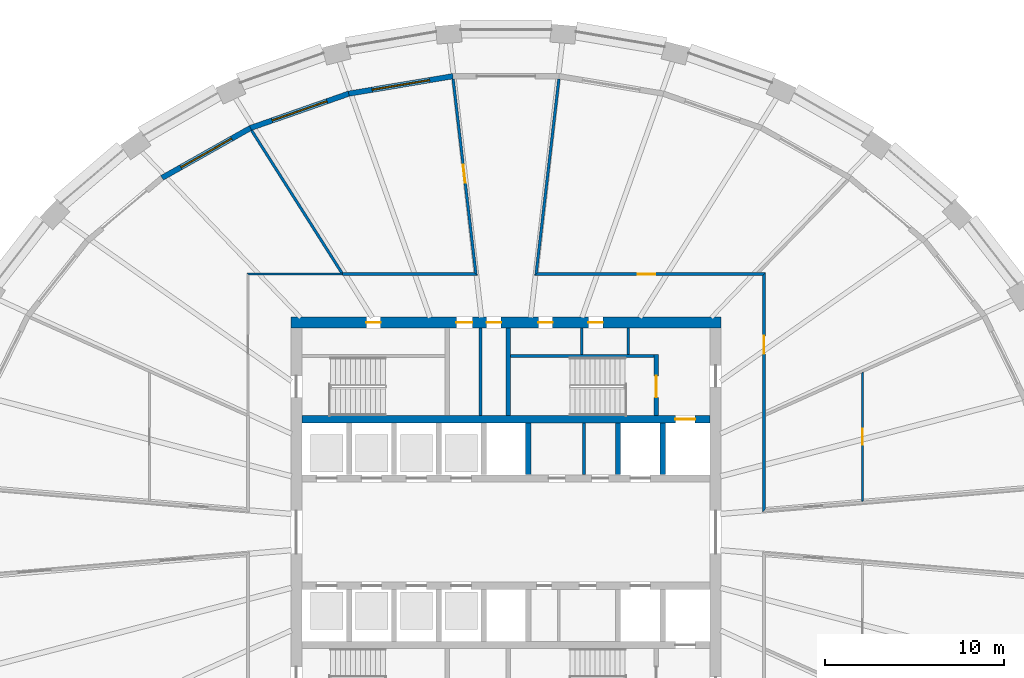
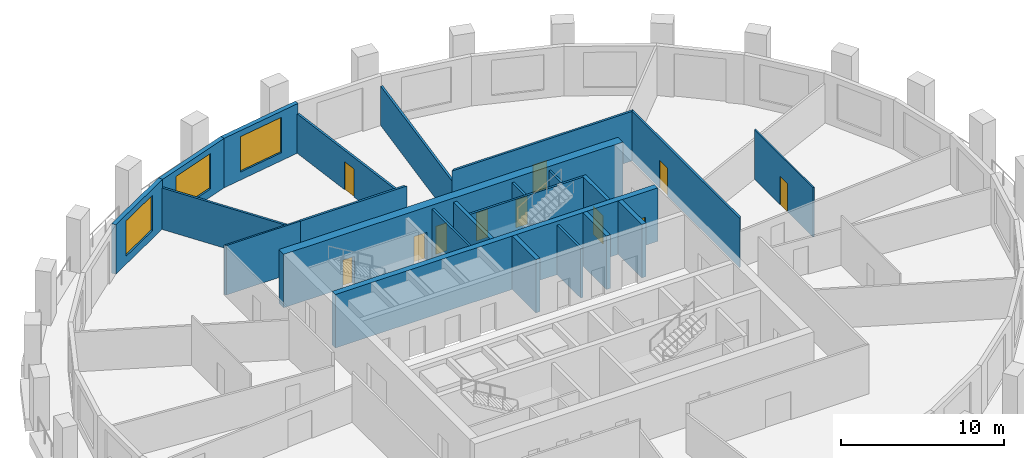
# One storey, part 6 of 10: 23 walls, 11 doors, 3 windows, 14 openings.
"""IFC4 building model written with IfcOpenShell, lengths in metres."""

from ifc_helpers import new_model, si_unit, direction, frame, frame_2d, origin, place, context, subcontext, project, spatial, polyline, rectangle, outline, extrude, material, layer, layer_set, type_object, element, fill, save


model = new_model("IFC4")

# Units and contexts
model_context = context("Model", 3, precision=1e-05, world=origin(), true_north=direction((0.0, 1.0)))
body_context = subcontext(model_context, "Body", "Model", "MODEL_VIEW")
ifc_project = project(units=[si_unit("LENGTHUNIT", "METRE"), si_unit("AREAUNIT", "SQUARE_METRE"), si_unit("VOLUMEUNIT", "CUBIC_METRE"), si_unit("PLANEANGLEUNIT", "RADIAN"), si_unit("MASSUNIT", "GRAM", prefix="KILO")], contexts=[model_context])

# Site, building, storey
site_placement = place(None, origin())
site = spatial("IfcSite", under=ifc_project, at=site_placement, CompositionType="ELEMENT")
building_placement = place(site_placement, origin())
building = spatial("IfcBuilding", under=site, at=building_placement, Name="Halqa Exchange Tower", CompositionType="ELEMENT")
storey_placement = place(building_placement, frame((0.0, 0.0, 186.89990234375)))
storey = spatial("IfcBuildingStorey", under=building, at=storey_placement, Name="L42", CompositionType="ELEMENT", Elevation=186.89990234375)

# Walls
ifc_material_1 = material(Name="Fire-rated gypsum board")
ifc_layer_1 = layer(ifc_material_1, 0.14990234375)
ifc_layer_set_1 = layer_set([ifc_layer_1], Name="Fire-rated gypsum board")
wall_type_1 = type_object("IfcWallType", Name="Fire partition EI 60 150", PredefinedType="PARTITIONING", material=ifc_layer_set_1)
wall_1_placement = place(storey_placement, frame((-9.14208984375, 14.43505859375, 0.0), z_axis=(0.0, 0.0, 1.0), x_axis=(-0.535245013247, 0.844696854377, 0.0)))
element("IfcWall", 1, at=wall_1_placement, inside=storey, type_object=wall_type_1, Name="L42-PWL-009", PredefinedType="PARTITIONING", context=body_context, shape_type="SweptSolid", body=[
    extrude(outline(polyline([(0.0, -0.074951171875), (1.88623046875, -0.074951171875), (3.772705078125, -0.074951171875), (5.658935546875, -0.074951171875), (7.545166015625, -0.074951171875), (9.431640625, -0.074951171875), (9.44873046875, -0.000732421875), (9.452392578125, 0.068603515625), (9.452392578125, 0.074951171875), (7.577392578125, 0.074951171875), (5.7021484375, 0.074951171875), (3.8271484375, 0.074951171875), (1.9521484375, 0.074951171875), (0.076904296875, 0.074951171875), (0.00927734375, -0.031982421875), (0.02197265625, -0.0400390625), (0.0, -0.07470703125), (0.0, -0.074951171875)])), origin(), (0.0, 0.0, 1.0), 3.10009765625),
])
wall_2_placement = place(storey_placement, frame((-9.1201171875, 14.39990234375, 0.0), z_axis=(0.0, 0.0, 1.0), x_axis=(1.0, 0.0, 0.0)))
element("IfcWall", 2, at=wall_2_placement, inside=storey, type_object=wall_type_1, Name="L42-PWL-010", PredefinedType="PARTITIONING", context=body_context, shape_type="SweptSolid", body=[
    extrude(outline(polyline([(7.5244140625, -0.074951171875), (7.5244140625, -0.074951171875), (7.35595703125, 0.074951171875), (5.51708984375, 0.074951171875), (3.677978515625, 0.074951171875), (1.839111328125, 0.074951171875), (0.0, 0.074951171875), (0.0, -0.074951171875), (1.881103515625, -0.074951171875), (3.76220703125, -0.074951171875), (5.643310546875, -0.074951171875), (7.5244140625, -0.074951171875)])), origin(), (0.0, 0.0, 1.0), 3.7001953125),
])

# Wall, opening, door
wall_3_placement = place(storey_placement, frame((-1.670166015625, 14.31640625, 0.0), z_axis=(0.0, 0.0, 1.0), x_axis=(-0.116172056535, 0.993229104125, 0.0)))
wall_3 = element("IfcWall", 3, at=wall_3_placement, inside=storey, type_object=wall_type_1, Name="L42-PWL-013", PredefinedType="PARTITIONING", context=body_context, shape_type="SweptSolid", body=[
    extrude(outline(polyline([(0.0, -0.074951171875), (1.8408203125, -0.074951171875), (3.681884765625, -0.074951171875), (5.522705078125, -0.074951171875), (7.363525390625, -0.074951171875), (9.20458984375, -0.074951171875), (11.04541015625, -0.074951171875), (11.0498046875, -0.037109375), (11.0498046875, 0.074951171875), (9.236328125, 0.074951171875), (7.422607421875, 0.074951171875), (5.609130859375, 0.074951171875), (3.79541015625, 0.074951171875), (1.98193359375, 0.074951171875), (0.16845703125, 0.074951171875), (0.084228515625, 0.0), (0.0, -0.074951171875), (0.0, -0.074951171875)])), origin(), (0.0, 0.0, 1.0), 2.947021484375),
])
opening_1_placement = place(wall_3_placement, frame((5.222412109375, 0.0, 0.0)))
opening_1 = element("IfcOpeningElement", 4, at=opening_1_placement, cuts=wall_3, Name="Opening 12-01", PredefinedType="OPENING", context=body_context, shape_type="SweptSolid", body=[
    extrude(rectangle(XDim=1.0, YDim=2.10009765625, at=frame_2d((0.5, 1.050048828125))), frame((0.0, 0.0869140625, 0.0), z_axis=(0.0, -1.0, 0.0), x_axis=(1.0, 0.0, 0.0)), (0.0, 0.0, 1.0), 0.173828125),
])
ifc_material_2 = material(Name="Steel fire door leaf", Category="steel")
door_type_1 = type_object("IfcDoorType", Name="Fire door FD30S 1000 x 2100", OperationType="SINGLE_SWING_LEFT", PredefinedType="DOOR", material=ifc_material_2)
door_1_placement = place(opening_1_placement, origin())
door_1 = element("IfcDoor", 5, at=door_1_placement, inside=storey, type_object=door_type_1, Name="L42-IDR-001", OperationType="SINGLE_SWING_LEFT", OverallHeight=2.10009765625, OverallWidth=1.0, PredefinedType="DOOR", context=body_context, shape_type="SweptSolid", body=[
    extrude(rectangle(XDim=1.0, YDim=2.10009765625, at=frame_2d((0.5, 1.050048828125))), frame((0.0, 0.02490234375, 0.0), z_axis=(0.0, -1.0, 0.0), x_axis=(1.0, 0.0, 0.0)), (0.0, 0.0, 1.0), 0.050048828125),
])
fill(opening_1, door_1)

wall_4_placement = place(storey_placement, frame((1.595703125, 14.39990234375, 0.0), z_axis=(0.0, 0.0, 1.0), x_axis=(1.0, 0.0, 0.0)))
wall_4 = element("IfcWall", 6, at=wall_4_placement, inside=storey, type_object=wall_type_1, Name="L42-PWL-015", PredefinedType="PARTITIONING", context=body_context, shape_type="SweptSolid", body=[
    extrude(outline(polyline([(0.0, -0.074951171875), (1.818359375, -0.074951171875), (3.636962890625, -0.074951171875), (5.455322265625, -0.074951171875), (7.27392578125, -0.074951171875), (9.09228515625, -0.074951171875), (10.910888671875, -0.074951171875), (12.729248046875, -0.074951171875), (12.879150390625, 0.074951171875), (11.063232421875, 0.074951171875), (9.24755859375, 0.074951171875), (7.431640625, 0.074951171875), (5.615966796875, 0.074951171875), (3.800048828125, 0.074951171875), (1.984130859375, 0.074951171875), (0.16845703125, 0.074951171875), (0.0, -0.074951171875), (0.0, -0.074951171875)])), origin(), (0.0, 0.0, 1.0), 3.7001953125),
])
opening_2_placement = place(wall_4_placement, frame((5.744384765625, 0.0, 0.0)))
opening_2 = element("IfcOpeningElement", 7, at=opening_2_placement, cuts=wall_4, Name="Opening 12-10", PredefinedType="OPENING", context=body_context, shape_type="SweptSolid", body=[
    extrude(rectangle(XDim=1.0, YDim=2.10009765625, at=frame_2d((0.5, 1.050048828125))), frame((0.0, 0.0869140625, 0.0), z_axis=(0.0, -1.0, 0.0), x_axis=(1.0, 0.0, 0.0)), (0.0, 0.0, 1.0), 0.173828125),
])
door_2_placement = place(opening_2_placement, origin())
door_2 = element("IfcDoor", 8, at=door_2_placement, inside=storey, type_object=door_type_1, Name="L42-IDR-010", OperationType="SINGLE_SWING_RIGHT", OverallHeight=2.10009765625, OverallWidth=1.0, PredefinedType="DOOR", context=body_context, shape_type="SweptSolid", body=[
    extrude(rectangle(XDim=1.0, YDim=2.10009765625, at=frame_2d((0.5, 1.050048828125))), frame((0.0, 0.02490234375, 0.0), z_axis=(0.0, -1.0, 0.0), x_axis=(1.0, 0.0, 0.0)), (0.0, 0.0, 1.0), 0.050048828125),
])
fill(opening_2, door_2)

# Wall
wall_5_placement = place(storey_placement, frame((2.953857421875, 25.29150390625, 0.0), z_axis=(0.0, 0.0, 1.0), x_axis=(-0.116172056535, -0.993229104125, 0.0)))
element("IfcWall", 9, at=wall_5_placement, inside=storey, type_object=wall_type_1, Name="L42-PWL-016", PredefinedType="PARTITIONING", context=body_context, shape_type="SweptSolid", body=[
    extrude(outline(polyline([(11.0498046875, -0.074951171875), (11.0498046875, -0.07470703125), (10.9658203125, 0.0), (10.881591796875, 0.074951171875), (9.06787109375, 0.074951171875), (7.25439453125, 0.074951171875), (5.440673828125, 0.074951171875), (3.627197265625, 0.074951171875), (1.8134765625, 0.074951171875), (0.0, 0.074951171875), (0.0, -0.0361328125), (0.004638671875, -0.074951171875), (1.845458984375, -0.074951171875), (3.686279296875, -0.074951171875), (5.527099609375, -0.074951171875), (7.3681640625, -0.074951171875), (9.208984375, -0.074951171875), (11.0498046875, -0.074951171875)])), origin(), (0.0, 0.0, 1.0), 2.947021484375),
])

# Wall, opening, door
wall_6_placement = place(storey_placement, frame((14.39990234375, 1.118408203125, 0.0), z_axis=(0.0, 0.0, 1.0), x_axis=(0.0, 1.0, 0.0)))
wall_6 = element("IfcWall", 10, at=wall_6_placement, inside=storey, type_object=wall_type_1, Name="L42-PWL-022", PredefinedType="PARTITIONING", context=body_context, shape_type="SweptSolid", body=[
    extrude(outline(polyline([(0.162841796875, -0.074951171875), (2.047607421875, -0.074951171875), (3.9326171875, -0.074951171875), (5.8173828125, -0.074951171875), (7.7021484375, -0.074951171875), (9.5869140625, -0.074951171875), (11.4716796875, -0.074951171875), (13.3564453125, -0.074951171875), (13.20654296875, 0.074951171875), (11.31982421875, 0.074951171875), (9.433349609375, 0.074951171875), (7.546630859375, 0.074951171875), (5.659912109375, 0.074951171875), (3.7734375, 0.074951171875), (1.88671875, 0.074951171875), (0.0, 0.074951171875), (0.162841796875, -0.074951171875)])), origin(), (0.0, 0.0, 1.0), 3.7001953125),
])
opening_3_placement = place(wall_6_placement, frame((8.83154296875, 0.0, 0.0)))
opening_3 = element("IfcOpeningElement", 11, at=opening_3_placement, cuts=wall_6, Name="Opening 12-09", PredefinedType="OPENING", context=body_context, shape_type="SweptSolid", body=[
    extrude(rectangle(XDim=1.0, YDim=2.10009765625, at=frame_2d((0.5, 1.050048828125))), frame((0.0, 0.0869140625, 0.0), z_axis=(0.0, -1.0, 0.0), x_axis=(1.0, 0.0, 0.0)), (0.0, 0.0, 1.0), 0.173828125),
])
door_3_placement = place(opening_3_placement, frame((1.0, 0.0, 0.0), z_axis=(0.0, 0.0, 1.0), x_axis=(-1.0, 0.0, 0.0)))
door_3 = element("IfcDoor", 12, at=door_3_placement, inside=storey, type_object=door_type_1, Name="L42-IDR-009", OperationType="SINGLE_SWING_LEFT", OverallHeight=2.10009765625, OverallWidth=1.0, PredefinedType="DOOR", context=body_context, shape_type="SweptSolid", body=[
    extrude(rectangle(XDim=1.0, YDim=2.10009765625, at=frame_2d((0.5, 1.050048828125))), frame((0.0, 0.02490234375, 0.0), z_axis=(0.0, -1.0, 0.0), x_axis=(1.0, 0.0, 0.0)), (0.0, 0.0, 1.0), 0.050048828125),
])
fill(opening_3, door_3)

# Wall
ifc_material_3 = material(Name="Fire-rated glazing", Category="glass")
ifc_layer_2 = layer(ifc_material_3, 0.1201171875)
ifc_layer_set_2 = layer_set([ifc_layer_2], Name="Fire-rated glazing")
wall_type_2 = type_object("IfcWallType", Name="Glazed fire partition EI 60 120", PredefinedType="PARTITIONING", material=ifc_layer_set_2)
wall_7_placement = place(storey_placement, frame((-14.4599609375, 14.39990234375, 0.0), z_axis=(0.0, 0.0, 1.0), x_axis=(1.0, 0.0, 0.0)))
element("IfcWall", 13, at=wall_7_placement, inside=storey, type_object=wall_type_2, Name="L42-PWL-008", PredefinedType="PARTITIONING", context=body_context, shape_type="SweptSolid", body=[
    extrude(outline(polyline([(5.33984375, 0.06005859375), (3.559814453125, 0.06005859375), (1.780029296875, 0.06005859375), (0.0, 0.06005859375), (0.1201171875, -0.06005859375), (1.860107421875, -0.06005859375), (3.599853515625, -0.06005859375), (5.33984375, -0.06005859375), (5.33984375, 0.06005859375)])), origin(), (0.0, 0.0, 1.0), 3.7001953125),
])

# Wall, opening, door
ifc_material_4 = material(Name="Gypsum board")
ifc_layer_3 = layer(ifc_material_4, 0.10009765625)
ifc_layer_set_3 = layer_set([ifc_layer_3], Name="Gypsum board")
wall_type_3 = type_object("IfcWallType", Name="Partition 100 gypsum", PredefinedType="PARTITIONING", material=ifc_layer_set_3)
wall_8_placement = place(storey_placement, frame((19.89990234375, 8.919921875, 0.0), z_axis=(0.0, 0.0, 1.0), x_axis=(0.0, -1.0, 0.0)))
wall_8 = element("IfcWall", 14, at=wall_8_placement, inside=storey, type_object=wall_type_3, Name="L42-PWL-027", PredefinedType="PARTITIONING", context=body_context, shape_type="SweptSolid", body=[
    extrude(outline(polyline([(7.19140625, -0.050048828125), (7.19140625, -0.0478515625), (7.183349609375, 0.050048828125), (5.387451171875, 0.050048828125), (3.591552734375, 0.050048828125), (1.7958984375, 0.050048828125), (0.0, 0.050048828125), (0.0, 0.04931640625), (0.044921875, -0.050048828125), (1.83154296875, -0.050048828125), (3.6181640625, -0.050048828125), (5.40478515625, -0.050048828125), (7.19140625, -0.050048828125)])), origin(), (0.0, 0.0, 1.0), 3.7001953125),
])
opening_4_placement = place(wall_8_placement, frame((3.14990234375, 0.0, 0.0)))
opening_4 = element("IfcOpeningElement", 15, at=opening_4_placement, cuts=wall_8, Name="Opening 12-13", PredefinedType="OPENING", context=body_context, shape_type="SweptSolid", body=[
    extrude(rectangle(XDim=0.89990234375, YDim=2.10009765625, at=frame_2d((0.449951171875, 1.050048828125))), frame((0.0, 0.06201171875, 0.0), z_axis=(0.0, -1.0, 0.0), x_axis=(1.0, 0.0, 0.0)), (0.0, 0.0, 1.0), 0.1240234375),
])
ifc_material_5 = material(Name="Timber door leaf", Category="wood")
door_type_2 = type_object("IfcDoorType", Name="Door 900 x 2100", OperationType="SINGLE_SWING_LEFT", PredefinedType="DOOR", material=ifc_material_5)
door_4_placement = place(opening_4_placement, frame((0.89990234375, 0.0, 0.0), z_axis=(0.0, 0.0, 1.0), x_axis=(-1.0, 0.0, 0.0)))
door_4 = element("IfcDoor", 16, at=door_4_placement, inside=storey, type_object=door_type_2, Name="L42-IDR-013", OperationType="SINGLE_SWING_LEFT", OverallHeight=2.10009765625, OverallWidth=0.89990234375, PredefinedType="DOOR", context=body_context, shape_type="SweptSolid", body=[
    extrude(rectangle(XDim=0.89990234375, YDim=2.10009765625, at=frame_2d((0.449951171875, 1.050048828125))), frame((0.0, 0.02490234375, 0.0), z_axis=(0.0, -1.0, 0.0), x_axis=(1.0, 0.0, 0.0)), (0.0, 0.0, 1.0), 0.050048828125),
])
fill(opening_4, door_4)

# Walls
ifc_layer_4 = layer(ifc_material_4, 0.14990234375)
ifc_layer_set_4 = layer_set([ifc_layer_4], Name="Gypsum board")
wall_type_4 = type_object("IfcWallType", Name="Penthouse riser wall 150 gypsum", PredefinedType="PARTITIONING", material=ifc_layer_set_4)
wall_9_placement = place(storey_placement, frame((-1.425048828125, 6.5, 0.0), z_axis=(0.0, 0.0, 1.0), x_axis=(0.0, 1.0, 0.0)))
element("IfcWall", 17, at=wall_9_placement, inside=storey, type_object=wall_type_4, Name="Partition W1.425 N", PredefinedType="PARTITIONING", context=body_context, shape_type="SweptSolid", body=[
    extrude(rectangle(XDim=4.89990234375, YDim=0.14990234375, at=frame_2d((2.449951171875, 0.0))), origin(), (0.0, 0.0, 1.0), 3.7001953125),
])
for number, where, z_axis, x_axis, name in (
    (18, (4.22509765625, 9.89990234375, 0.0), (0.0, 0.0, 1.0), (0.0, 1.0, 0.0), "Partition E4.225 N"),
    (19, (6.824951171875, 9.89990234375, 0.0), (0.0, 0.0, 1.0), (0.0, 1.0, 0.0), "Firefighting lobby west wall N"),
):
    element("IfcWall", number, at=place(storey_placement, frame(where, z_axis=z_axis, x_axis=x_axis)), inside=storey, type_object=wall_type_4, Name=name, PredefinedType="PARTITIONING", context=body_context, shape_type="SweptSolid", body=[
        extrude(rectangle(XDim=1.5, YDim=0.14990234375, at=frame_2d((0.75, 0.0))), origin(), (0.0, 0.0, 1.0), 3.7001953125),
    ])
wall_10_placement = place(storey_placement, frame((4.35009765625, 3.199951171875, 0.0), z_axis=(0.0, 0.0, 1.0), x_axis=(0.0, 1.0, 0.0)))
element("IfcWall", 20, at=wall_10_placement, inside=storey, type_object=wall_type_4, Name="Freed bay partition NE4.350", PredefinedType="PARTITIONING", context=body_context, shape_type="SweptSolid", body=[
    extrude(rectangle(XDim=2.900146484375, YDim=0.14990234375, at=frame_2d((1.4501953125, 0.0))), origin(), (0.0, 0.0, 1.0), 3.7001953125),
])
ifc_material_6 = material(Name="Concrete C60/75", Category="concrete")
ifc_layer_5 = layer(ifc_material_6, 0.300048828125)
ifc_layer_set_5 = layer_set([ifc_layer_5], Name="Concrete C60/75")
wall_type_5 = type_object("IfcWallType", Name="RC core wall 300", PredefinedType="SHEAR", material=ifc_layer_set_5)
for number, where, z_axis, x_axis, name in (
    (21, (1.25, 3.199951171875, 0.0), (0.0, 0.0, 1.0), (0.0, 1.0, 0.0), "Shaft divider N5"),
    (22, (6.25, 3.199951171875, 0.0), (0.0, 0.0, 1.0), (0.0, 1.0, 0.0), "Shaft divider N7"),
    (23, (8.75, 3.199951171875, 0.0), (0.0, 0.0, 1.0), (0.0, 1.0, 0.0), "Shaft divider N8"),
):
    element("IfcWall", number, at=place(storey_placement, frame(where, z_axis=z_axis, x_axis=x_axis)), inside=storey, type_object=wall_type_5, Name=name, PredefinedType="SHEAR", context=body_context, shape_type="SweptSolid", body=[
        extrude(rectangle(XDim=2.900146484375, YDim=0.300048828125, at=frame_2d((1.4501953125, 0.0))), origin(), (0.0, 0.0, 1.0), 4.0),
    ])

# Wall, opening, door
ifc_material_7 = material(Name="Concrete C70/85", Category="concrete")
ifc_layer_6 = layer(ifc_material_7, 0.39990234375)
ifc_layer_set_6 = layer_set([ifc_layer_6], Name="Concrete C70/85")
wall_type_6 = type_object("IfcWallType", Name="RC core wall 400 C70/85", PredefinedType="SHEAR", material=ifc_layer_set_6)
wall_11_placement = place(storey_placement, frame((-11.39990234375, 6.300048828125, 0.0), z_axis=(0.0, 0.0, 1.0), x_axis=(1.0, 0.0, 0.0)))
wall_11 = element("IfcWall", 24, at=wall_11_placement, inside=storey, type_object=wall_type_6, Name="Lift row back wall N", PredefinedType="SHEAR", context=body_context, shape_type="SweptSolid", body=[
    extrude(rectangle(XDim=22.7998046875, YDim=0.39990234375, at=frame_2d((11.39990234375, 0.0))), origin(), (0.0, 0.0, 1.0), 4.0),
])
opening_5_placement = place(wall_11_placement, frame((20.85009765625, 0.0, 0.0)))
opening_5 = element("IfcOpeningElement", 25, at=opening_5_placement, cuts=wall_11, Name="Opening LD-FF1-T12", PredefinedType="OPENING", context=body_context, shape_type="SweptSolid", body=[
    extrude(rectangle(XDim=1.10009765625, YDim=2.10009765625, at=frame_2d((0.550048828125, 1.050048828125))), frame((0.0, 0.2119140625, 0.0), z_axis=(0.0, -1.0, 0.0), x_axis=(1.0, 0.0, 0.0)), (0.0, 0.0, 1.0), 0.423828125),
])
ifc_material_8 = material(Name="Stainless steel", Category="steel")
door_type_3 = type_object("IfcDoorType", Name="Lift landing door 1100 x 2100", OperationType="SLIDING_TO_LEFT", PredefinedType="DOOR", material=ifc_material_8)
door_5_placement = place(opening_5_placement, origin())
door_5 = element("IfcDoor", 26, at=door_5_placement, inside=storey, type_object=door_type_3, Name="Lift landing door FF1", OperationType="SLIDING_TO_LEFT", OverallHeight=2.10009765625, OverallWidth=1.10009765625, PredefinedType="DOOR", context=body_context, shape_type="SweptSolid", body=[
    extrude(rectangle(XDim=1.10009765625, YDim=2.10009765625, at=frame_2d((0.550048828125, 1.050048828125))), frame((0.0, 0.02490234375, 0.0), z_axis=(0.0, -1.0, 0.0), x_axis=(1.0, 0.0, 0.0)), (0.0, 0.0, 1.0), 0.050048828125),
])
fill(opening_5, door_5)

# Wall, openings, doors
ifc_layer_7 = layer(ifc_material_7, 0.60009765625)
ifc_layer_set_7 = layer_set([ifc_layer_7], Name="Concrete C70/85")
wall_type_7 = type_object("IfcWallType", Name="RC core wall 600 C70/85", PredefinedType="SHEAR", material=ifc_layer_set_7)
wall_12_placement = place(storey_placement, frame((-12.0, 11.699951171875, 0.0), z_axis=(0.0, 0.0, 1.0), x_axis=(1.0, 0.0, 0.0)))
wall_12 = element("IfcWall", 27, at=wall_12_placement, inside=storey, type_object=wall_type_7, Name="Core wall north", PredefinedType="SHEAR", context=body_context, shape_type="SweptSolid", body=[
    extrude(rectangle(XDim=24.0, YDim=0.60009765625, at=frame_2d((12.0, 0.0))), origin(), (0.0, 0.0, 1.0), 4.0),
])
opening_6_placement = place(wall_12_placement, frame((9.22509765625, 0.0, 0.0)))
opening_6 = element("IfcOpeningElement", 28, at=opening_6_placement, cuts=wall_12, Name="Opening T12-C21", PredefinedType="OPENING", context=body_context, shape_type="SweptSolid", body=[
    extrude(rectangle(XDim=0.89990234375, YDim=2.10009765625, at=frame_2d((0.449951171875, 1.050048828125))), frame((0.0, 0.31201171875, 0.0), z_axis=(0.0, -1.0, 0.0), x_axis=(1.0, 0.0, 0.0)), (0.0, 0.0, 1.0), 0.6240234375),
])
opening_7_placement = place(wall_12_placement, frame((10.925048828125, 0.0, 0.0)))
opening_7 = element("IfcOpeningElement", 29, at=opening_7_placement, cuts=wall_12, Name="Opening T12-C22", PredefinedType="OPENING", context=body_context, shape_type="SweptSolid", body=[
    extrude(rectangle(XDim=0.800048828125, YDim=2.10009765625, at=frame_2d((0.39990234375, 1.050048828125))), frame((0.0, 0.31201171875, 0.0), z_axis=(0.0, -1.0, 0.0), x_axis=(1.0, 0.0, 0.0)), (0.0, 0.0, 1.0), 0.6240234375),
])
opening_8_placement = place(wall_12_placement, frame((4.199951171875, 0.0, 0.0)))
opening_8 = element("IfcOpeningElement", 30, at=opening_8_placement, cuts=wall_12, Name="Opening T12-C23", PredefinedType="OPENING", context=body_context, shape_type="SweptSolid", body=[
    extrude(rectangle(XDim=0.800048828125, YDim=2.10009765625, at=frame_2d((0.39990234375, 1.050048828125))), frame((0.0, 0.31201171875, 0.0), z_axis=(0.0, -1.0, 0.0), x_axis=(1.0, 0.0, 0.0)), (0.0, 0.0, 1.0), 0.6240234375),
])
opening_9_placement = place(wall_12_placement, frame((13.800048828125, 0.0, 0.0)))
opening_9 = element("IfcOpeningElement", 31, at=opening_9_placement, cuts=wall_12, Name="Opening T12-C24", PredefinedType="OPENING", context=body_context, shape_type="SweptSolid", body=[
    extrude(rectangle(XDim=0.800048828125, YDim=2.10009765625, at=frame_2d((0.39990234375, 1.050048828125))), frame((0.0, 0.31201171875, 0.0), z_axis=(0.0, -1.0, 0.0), x_axis=(1.0, 0.0, 0.0)), (0.0, 0.0, 1.0), 0.6240234375),
])
opening_10_placement = place(wall_12_placement, frame((16.60009765625, 0.0, 0.0)))
opening_10 = element("IfcOpeningElement", 32, at=opening_10_placement, cuts=wall_12, Name="Opening T12-C25", PredefinedType="OPENING", context=body_context, shape_type="SweptSolid", body=[
    extrude(rectangle(XDim=0.800048828125, YDim=2.10009765625, at=frame_2d((0.39990234375, 1.050048828125))), frame((0.0, 0.31201171875, 0.0), z_axis=(0.0, -1.0, 0.0), x_axis=(1.0, 0.0, 0.0)), (0.0, 0.0, 1.0), 0.6240234375),
])
ifc_material_9 = material(Name="Timber fire door leaf", Category="wood")
door_type_4 = type_object("IfcDoorType", Name="Core room door FD30 900 x 2100", OperationType="SINGLE_SWING_LEFT", PredefinedType="DOOR", material=ifc_material_9)
door_6_placement = place(opening_6_placement, frame((0.89990234375, 0.0, 0.0), z_axis=(0.0, 0.0, 1.0), x_axis=(-1.0, 0.0, 0.0)))
door_6 = element("IfcDoor", 33, at=door_6_placement, inside=storey, type_object=door_type_4, Name="Core room door", OperationType="SINGLE_SWING_RIGHT", OverallHeight=2.10009765625, OverallWidth=0.89990234375, PredefinedType="DOOR", context=body_context, shape_type="SweptSolid", body=[
    extrude(rectangle(XDim=0.89990234375, YDim=2.10009765625, at=frame_2d((0.449951171875, 1.050048828125))), frame((0.0, 0.02490234375, 0.0), z_axis=(0.0, -1.0, 0.0), x_axis=(1.0, 0.0, 0.0)), (0.0, 0.0, 1.0), 0.050048828125),
])
fill(opening_6, door_6)
door_type_5 = type_object("IfcDoorType", Name="Riser door FD60 800 x 2100", OperationType="SINGLE_SWING_LEFT", PredefinedType="DOOR", material=ifc_material_2)
door_7_placement = place(opening_7_placement, frame((0.800048828125, 0.0, 0.0), z_axis=(0.0, 0.0, 1.0), x_axis=(-1.0, 0.0, 0.0)))
door_7 = element("IfcDoor", 34, at=door_7_placement, inside=storey, type_object=door_type_5, Name="Core room door", OperationType="SINGLE_SWING_RIGHT", OverallHeight=2.10009765625, OverallWidth=0.800048828125, PredefinedType="DOOR", context=body_context, shape_type="SweptSolid", body=[
    extrude(rectangle(XDim=0.800048828125, YDim=2.10009765625, at=frame_2d((0.39990234375, 1.050048828125))), frame((0.0, 0.02490234375, 0.0), z_axis=(0.0, -1.0, 0.0), x_axis=(1.0, 0.0, 0.0)), (0.0, 0.0, 1.0), 0.050048828125),
])
fill(opening_7, door_7)
door_8_placement = place(opening_8_placement, frame((0.800048828125, 0.0, 0.0), z_axis=(0.0, 0.0, 1.0), x_axis=(-1.0, 0.0, 0.0)))
door_8 = element("IfcDoor", 35, at=door_8_placement, inside=storey, type_object=door_type_5, Name="Core room door", OperationType="SINGLE_SWING_RIGHT", OverallHeight=2.10009765625, OverallWidth=0.800048828125, PredefinedType="DOOR", context=body_context, shape_type="SweptSolid", body=[
    extrude(rectangle(XDim=0.800048828125, YDim=2.10009765625, at=frame_2d((0.39990234375, 1.050048828125))), frame((0.0, 0.02490234375, 0.0), z_axis=(0.0, -1.0, 0.0), x_axis=(1.0, 0.0, 0.0)), (0.0, 0.0, 1.0), 0.050048828125),
])
fill(opening_8, door_8)
door_9_placement = place(opening_9_placement, frame((0.800048828125, 0.0, 0.0), z_axis=(0.0, 0.0, 1.0), x_axis=(-1.0, 0.0, 0.0)))
door_9 = element("IfcDoor", 36, at=door_9_placement, inside=storey, type_object=door_type_5, Name="Core room door", OperationType="SINGLE_SWING_LEFT", OverallHeight=2.10009765625, OverallWidth=0.800048828125, PredefinedType="DOOR", context=body_context, shape_type="SweptSolid", body=[
    extrude(rectangle(XDim=0.800048828125, YDim=2.10009765625, at=frame_2d((0.39990234375, 1.050048828125))), frame((0.0, 0.02490234375, 0.0), z_axis=(0.0, -1.0, 0.0), x_axis=(1.0, 0.0, 0.0)), (0.0, 0.0, 1.0), 0.050048828125),
])
fill(opening_9, door_9)
door_10_placement = place(opening_10_placement, frame((0.800048828125, 0.0, 0.0), z_axis=(0.0, 0.0, 1.0), x_axis=(-1.0, 0.0, 0.0)))
door_10 = element("IfcDoor", 37, at=door_10_placement, inside=storey, type_object=door_type_5, Name="Core room door", OperationType="SINGLE_SWING_LEFT", OverallHeight=2.10009765625, OverallWidth=0.800048828125, PredefinedType="DOOR", context=body_context, shape_type="SweptSolid", body=[
    extrude(rectangle(XDim=0.800048828125, YDim=2.10009765625, at=frame_2d((0.39990234375, 1.050048828125))), frame((0.0, 0.02490234375, 0.0), z_axis=(0.0, -1.0, 0.0), x_axis=(1.0, 0.0, 0.0)), (0.0, 0.0, 1.0), 0.050048828125),
])
fill(opening_10, door_10)

# Walls
ifc_material_10 = material(Name="Concrete C30/37", Category="concrete")
ifc_layer_8 = layer(ifc_material_10, 0.14990234375)
ifc_layer_set_8 = layer_set([ifc_layer_8], Name="Concrete C30/37")
wall_type_8 = type_object("IfcWallType", Name="RC stair wall 150 C30/37", PredefinedType="SHEAR", material=ifc_layer_set_8)
wall_13_placement = place(storey_placement, frame((0.25, 9.824951171875, 0.0), z_axis=(0.0, 0.0, 1.0), x_axis=(1.0, 0.0, 0.0)))
element("IfcWall", 38, at=wall_13_placement, inside=storey, type_object=wall_type_8, Name="Stair ST2 north wall N", PredefinedType="SHEAR", context=body_context, shape_type="SweptSolid", body=[
    extrude(rectangle(XDim=8.0, YDim=0.14990234375, at=frame_2d((4.0, 0.0))), origin(), (0.0, 0.0, 1.0), 3.7001953125),
])
ifc_layer_9 = layer(ifc_material_10, 0.25)
ifc_layer_set_9 = layer_set([ifc_layer_9], Name="Concrete C30/37")
wall_type_9 = type_object("IfcWallType", Name="RC stair wall 250 C30/37", PredefinedType="SHEAR", material=ifc_layer_set_9)
wall_14_placement = place(storey_placement, frame((0.125, 6.5, 0.0), z_axis=(0.0, 0.0, 1.0), x_axis=(0.0, 1.0, 0.0)))
element("IfcWall", 39, at=wall_14_placement, inside=storey, type_object=wall_type_9, Name="Stair ST2 west wall N", PredefinedType="SHEAR", context=body_context, shape_type="SweptSolid", body=[
    extrude(rectangle(XDim=4.89990234375, YDim=0.25, at=frame_2d((2.449951171875, 0.0))), origin(), (0.0, 0.0, 1.0), 3.7001953125),
])

# Wall, opening, door
wall_15_placement = place(storey_placement, frame((8.375, 6.5, 0.0), z_axis=(0.0, 0.0, 1.0), x_axis=(0.0, 1.0, 0.0)))
wall_15 = element("IfcWall", 40, at=wall_15_placement, inside=storey, type_object=wall_type_9, Name="Stair ST2 east wall N", PredefinedType="SHEAR", context=body_context, shape_type="SweptSolid", body=[
    extrude(rectangle(XDim=3.39990234375, YDim=0.25, at=frame_2d((1.699951171875, 0.0))), origin(), (0.0, 0.0, 1.0), 3.7001953125),
])
opening_11_placement = place(wall_15_placement, frame((1.02490234375, 0.0, 0.0)))
opening_11 = element("IfcOpeningElement", 41, at=opening_11_placement, cuts=wall_15, Name="Opening T12-C16", PredefinedType="OPENING", context=body_context, shape_type="SweptSolid", body=[
    extrude(rectangle(XDim=1.199951171875, YDim=2.10009765625, at=frame_2d((0.60009765625, 1.050048828125))), frame((0.0, 0.136962890625, 0.0), z_axis=(0.0, -1.0, 0.0), x_axis=(1.0, 0.0, 0.0)), (0.0, 0.0, 1.0), 0.27392578125),
])
door_type_6 = type_object("IfcDoorType", Name="Stair door FD90 1200 x 2100", OperationType="SINGLE_SWING_LEFT", PredefinedType="DOOR", material=ifc_material_2)
door_11_placement = place(opening_11_placement, origin())
door_11 = element("IfcDoor", 42, at=door_11_placement, inside=storey, type_object=door_type_6, Name="Stair door ST2", OperationType="SINGLE_SWING_LEFT", OverallHeight=2.10009765625, OverallWidth=1.199951171875, PredefinedType="DOOR", context=body_context, shape_type="SweptSolid", body=[
    extrude(rectangle(XDim=1.199951171875, YDim=2.10009765625, at=frame_2d((0.60009765625, 1.050048828125))), frame((0.0, 0.02490234375, 0.0), z_axis=(0.0, -1.0, 0.0), x_axis=(1.0, 0.0, 0.0)), (0.0, 0.0, 1.0), 0.050048828125),
])
fill(opening_11, door_11)

# Wall, opening, window
ifc_material_11 = material(Name="Limestone cladding", Category="masonry")
ifc_layer_10 = layer(ifc_material_11, 0.0400390625)
ifc_material_12 = material(Name="Ventilated cavity")
ifc_layer_11 = layer(ifc_material_12, 0.030029296875, ventilated=True)
ifc_material_13 = material(Name="Mineral wool insulation")
ifc_layer_12 = layer(ifc_material_13, 0.10009765625)
ifc_layer_13 = layer(ifc_material_10, 0.10009765625)
ifc_material_14 = material(Name="Internal plaster")
ifc_layer_14 = layer(ifc_material_14, 0.030029296875)
ifc_layer_set_10 = layer_set([ifc_layer_10, ifc_layer_11, ifc_layer_12, ifc_layer_13, ifc_layer_14], Name="Stone-faced insulated wall 300")
wall_type_10 = type_object("IfcWallType", Name="Stone-faced insulated wall 300", PredefinedType="STANDARD", material=ifc_layer_set_10)
wall_16_placement = place(storey_placement, frame((-2.96484375, 25.44580078125, 0.0), z_axis=(0.0, 0.0, 1.0), x_axis=(-0.986201934369, -0.165546805001, 0.0)))
wall_16 = element("IfcWall", 43, at=wall_16_placement, inside=storey, type_object=wall_type_10, Name="Glass-line wall 9", PredefinedType="STANDARD", context=body_context, shape_type="SweptSolid", body=[
    extrude(outline(polyline([(-0.012451171875, -0.14990234375), (5.91015625, -0.14990234375), (5.884765625, 0.14990234375), (0.012451171875, 0.14990234375), (-0.012451171875, -0.14990234375)])), origin(), (0.0, 0.0, 1.0), 3.7001953125),
])
opening_12_placement = place(wall_16_placement, frame((1.32373046875, 0.0, 0.60009765625)))
opening_12 = element("IfcOpeningElement", 44, at=opening_12_placement, cuts=wall_16, Name="Opening W-F3-09", PredefinedType="OPENING", context=body_context, shape_type="SweptSolid", body=[
    extrude(rectangle(XDim=3.25, YDim=2.64990234375, at=frame_2d((1.625, 1.324951171875))), frame((0.0, 0.162109375, 0.0), z_axis=(0.0, -1.0, 0.0), x_axis=(1.0, 0.0, 0.0)), (0.0, 0.0, 1.0), 0.323974609375),
])
ifc_material_15 = material(Name="Clear low-emissivity glass in aluminium frame", Category="aluminium")
window_type = type_object("IfcWindowType", Name="Fixed clear glazed window 3250 x 2650", PartitioningType="TRIPLE_PANEL_VERTICAL", PredefinedType="WINDOW", material=ifc_material_15)
window_1_placement = place(opening_12_placement, origin())
window_1 = element("IfcWindow", 45, at=window_1_placement, inside=storey, type_object=window_type, Name="Window 3", OverallHeight=2.64990234375, OverallWidth=3.25, PartitioningType="TRIPLE_PANEL_VERTICAL", PredefinedType="WINDOW", context=body_context, shape_type="SweptSolid", body=[
    extrude(rectangle(XDim=3.25, YDim=2.64990234375, at=frame_2d((1.625, 1.324951171875))), frame((0.0, 0.030029296875, 0.0), z_axis=(0.0, -1.0, 0.0), x_axis=(1.0, 0.0, 0.0)), (0.0, 0.0, 1.0), 0.06005859375),
])
fill(opening_12, window_1)

wall_17_placement = place(storey_placement, frame((-8.781005859375, 24.469482421875, 0.0), z_axis=(0.0, 0.0, 1.0), x_axis=(-0.943990724372, -0.329971987144, 0.0)))
wall_17 = element("IfcWall", 46, at=wall_17_placement, inside=storey, type_object=wall_type_10, Name="Glass-line wall 10", PredefinedType="STANDARD", context=body_context, shape_type="SweptSolid", body=[
    extrude(outline(polyline([(-0.0126953125, -0.14990234375), (5.818603515625, -0.14990234375), (5.791748046875, 0.14990234375), (0.0126953125, 0.14990234375), (-0.0126953125, -0.14990234375)])), origin(), (0.0, 0.0, 1.0), 3.7001953125),
])
opening_13_placement = place(wall_17_placement, frame((1.277587890625, 0.0, 0.60009765625)))
opening_13 = element("IfcOpeningElement", 47, at=opening_13_placement, cuts=wall_17, Name="Opening W-F3-10", PredefinedType="OPENING", context=body_context, shape_type="SweptSolid", body=[
    extrude(rectangle(XDim=3.25, YDim=2.64990234375, at=frame_2d((1.625, 1.324951171875))), frame((0.0, 0.162109375, 0.0), z_axis=(0.0, -1.0, 0.0), x_axis=(1.0, 0.0, 0.0)), (0.0, 0.0, 1.0), 0.323974609375),
])
window_2_placement = place(opening_13_placement, origin())
window_2 = element("IfcWindow", 48, at=window_2_placement, inside=storey, type_object=window_type, Name="Window 3", OverallHeight=2.64990234375, OverallWidth=3.25, PartitioningType="TRIPLE_PANEL_VERTICAL", PredefinedType="WINDOW", context=body_context, shape_type="SweptSolid", body=[
    extrude(rectangle(XDim=3.25, YDim=2.64990234375, at=frame_2d((1.625, 1.324951171875))), frame((0.0, 0.030029296875, 0.0), z_axis=(0.0, -1.0, 0.0), x_axis=(1.0, 0.0, 0.0)), (0.0, 0.0, 1.0), 0.06005859375),
])
fill(opening_13, window_2)

wall_18_placement = place(storey_placement, frame((-14.260986328125, 22.553955078125, 0.0), z_axis=(0.0, 0.0, 1.0), x_axis=(-0.871077775545, -0.491145099691, 0.0)))
wall_18 = element("IfcWall", 49, at=wall_18_placement, inside=storey, type_object=wall_type_10, Name="Glass-line wall 11", PredefinedType="STANDARD", context=body_context, shape_type="SweptSolid", body=[
    extrude(outline(polyline([(-0.013427734375, -0.14990234375), (5.677978515625, -0.14990234375), (5.649658203125, 0.14990234375), (0.013427734375, 0.14990234375), (-0.013427734375, -0.14990234375)])), origin(), (0.0, 0.0, 1.0), 3.7001953125),
])
opening_14_placement = place(wall_18_placement, frame((1.206787109375, 0.0, 0.60009765625)))
opening_14 = element("IfcOpeningElement", 50, at=opening_14_placement, cuts=wall_18, Name="Opening W-F3-11", PredefinedType="OPENING", context=body_context, shape_type="SweptSolid", body=[
    extrude(rectangle(XDim=3.25, YDim=2.64990234375, at=frame_2d((1.625, 1.324951171875))), frame((0.0, 0.162109375, 0.0), z_axis=(0.0, -1.0, 0.0), x_axis=(1.0, 0.0, 0.0)), (0.0, 0.0, 1.0), 0.323974609375),
])
window_3_placement = place(opening_14_placement, origin())
window_3 = element("IfcWindow", 51, at=window_3_placement, inside=storey, type_object=window_type, Name="Window 3", OverallHeight=2.64990234375, OverallWidth=3.25, PartitioningType="TRIPLE_PANEL_VERTICAL", PredefinedType="WINDOW", context=body_context, shape_type="SweptSolid", body=[
    extrude(rectangle(XDim=3.25, YDim=2.64990234375, at=frame_2d((1.625, 1.324951171875))), frame((0.0, 0.030029296875, 0.0), z_axis=(0.0, -1.0, 0.0), x_axis=(1.0, 0.0, 0.0)), (0.0, 0.0, 1.0), 0.06005859375),
])
fill(opening_14, window_3)

save(model, "model.ifc")
